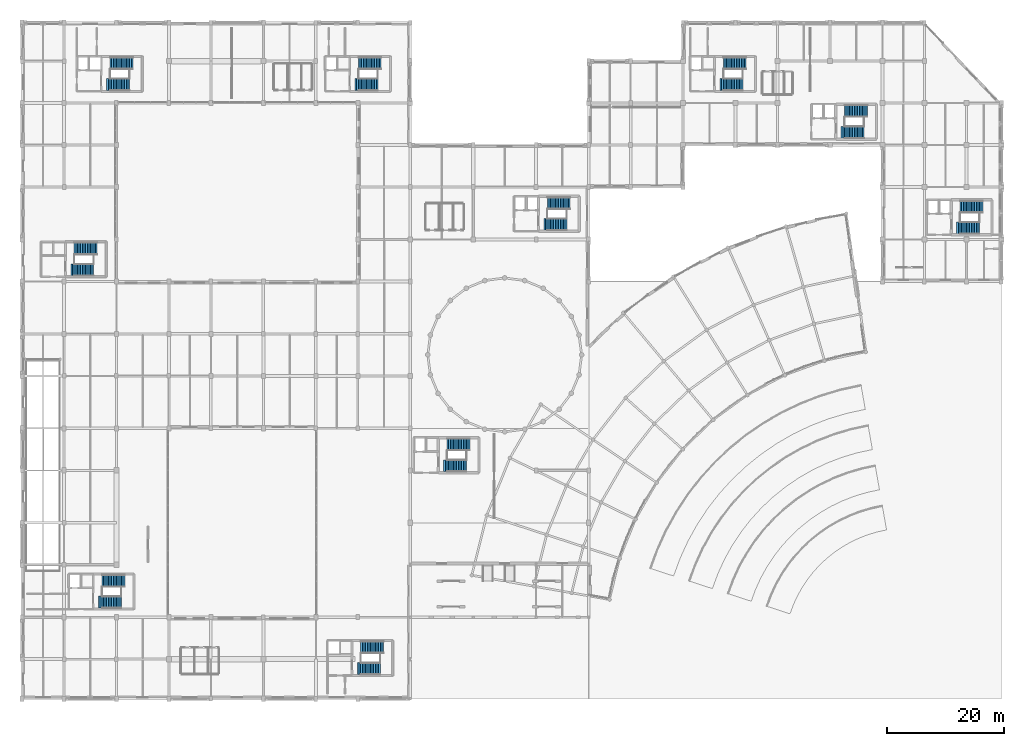
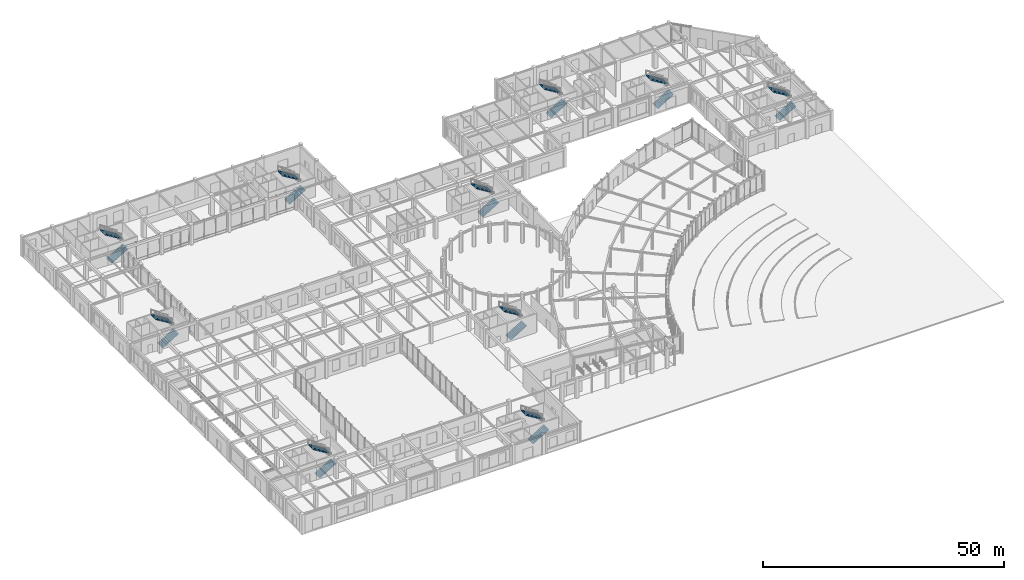
# One storey, part 56 of 64: 20 stair flights, 10 elements without a shape of their own.
"""IFC4 building model written with IfcOpenShell, lengths in metres."""

import ifcopenshell
import ifcopenshell.guid

model = None  # the IFC model being written
_history = None  # IfcOwnerHistory: only IFC2X3 demands one
_inside = {}  # id of a spatial element -> (the spatial element, [elements in it])
_under = {}  # id of a project, library or spatial element -> (it, [spatial elements below it])
_declared = {}  # id of a project -> (the project, [libraries it declares])
_typed = {}  # id of a type object -> (the type object, [elements of that type])
_made_of = {}  # id of a material, layer set ... -> (it, [elements and type objects made of it])


def new_model(schema):
    """Start an empty IFC model of exactly this schema.

    Asked for "IFC4X3", IfcOpenShell would pick the latest addendum, in which some entities
    have other attributes; the version numbers below select the first issue.
    IFC2X3 requires an IfcOwnerHistory on every rooted entity: one is made here for all.
    """
    global model, _history
    if schema == "IFC4X3":
        model = ifcopenshell.file(schema_version=(4, 3, 0, 0))
    else:
        model = ifcopenshell.file(schema=schema)
    _inside.clear()
    _under.clear()
    _declared.clear()
    _typed.clear()
    _made_of.clear()
    _history = None
    if model.schema == "IFC2X3":
        org = make("IfcOrganization", Name="unknown")
        user = make(
            "IfcPersonAndOrganization",
            ThePerson=make("IfcPerson", FamilyName="unknown"),
            TheOrganization=org,
        )
        app = make(
            "IfcApplication",
            ApplicationDeveloper=org,
            Version="unknown",
            ApplicationFullName="unknown",
            ApplicationIdentifier="unknown",
        )
        _history = make(
            "IfcOwnerHistory",
            OwningUser=user,
            OwningApplication=app,
            ChangeAction="ADDED",
            CreationDate=0,
        )
    return model


def make(cls, **values):
    """One entity of the class cls with the attributes given. An attribute that is None is left unset."""
    return model.create_entity(
        cls, **{name: value for name, value in values.items() if value is not None}
    )


def rooted(cls, **values):
    """An entity with a GlobalId (a new one), such as an element, a storey or a relation."""
    return make(cls, GlobalId=ifcopenshell.guid.new(), OwnerHistory=_history, **values)


def si_unit(unit_type, name, prefix=None):
    """IfcSIUnit, for example si_unit("LENGTHUNIT", "METRE", prefix="MILLI")."""
    return make("IfcSIUnit", UnitType=unit_type, Prefix=prefix, Name=name)


def assignment(units):
    """IfcUnitAssignment: the units of a project."""
    return None if units is None else make("IfcUnitAssignment", Units=units)


def point(xyz):
    """IfcCartesianPoint."""
    return None if xyz is None else make("IfcCartesianPoint", Coordinates=xyz)


def direction(xyz):
    """IfcDirection."""
    return None if xyz is None else make("IfcDirection", DirectionRatios=xyz)


def frame(location, z_axis=None, x_axis=None):
    """IfcAxis2Placement3D, a coordinate frame: its origin and axes. An axis left out is left unset."""
    return make(
        "IfcAxis2Placement3D",
        Location=point(location),
        Axis=direction(z_axis),
        RefDirection=direction(x_axis),
    )


def origin():
    """The frame at (0, 0, 0) with its axes left unset."""
    return frame((0.0, 0.0, 0.0))


def place(relative_to, where):
    """IfcLocalPlacement: puts the frame where relative to a parent placement (None: the world)."""
    return make(
        "IfcLocalPlacement", PlacementRelTo=relative_to, RelativePlacement=where
    )


def context(
    kind, dimensions, precision=None, world=None, true_north=None, identifier=None
):
    """IfcGeometricRepresentationContext, for example the 3D "Model" context."""
    return make(
        "IfcGeometricRepresentationContext",
        ContextIdentifier=identifier,
        ContextType=kind,
        CoordinateSpaceDimension=dimensions,
        Precision=precision,
        WorldCoordinateSystem=world,
        TrueNorth=true_north,
    )


def subcontext(parent, identifier, kind, view, scale=None):
    """IfcGeometricRepresentationSubContext, for example "Body" below "Model"."""
    return make(
        "IfcGeometricRepresentationSubContext",
        ContextIdentifier=identifier,
        ContextType=kind,
        ParentContext=parent,
        TargetScale=scale,
        TargetView=view,
    )


def project(units=None, contexts=None):
    """IfcProject with its units and contexts."""
    return rooted(
        "IfcProject",
        Name="project",
        RepresentationContexts=contexts,
        UnitsInContext=assignment(units),
    )


def spatial(cls, under=None, at=None, **own):
    """A site, building, storey or space (cls), placed at a placement, below another one or the project."""
    s = rooted(cls, ObjectPlacement=at, **own)
    if under is not None:
        _under.setdefault(under.id(), (under, []))[1].append(s)
    return s


def polyline(points):
    """IfcPolyline through the points."""
    return make("IfcPolyline", Points=[point(p) for p in points])


def outline(outer, holes=None, kind="AREA"):
    """IfcArbitraryClosedProfileDef: a profile drawn as a closed curve; with holes, ...WithVoids."""
    if holes is None:
        return make("IfcArbitraryClosedProfileDef", ProfileType=kind, OuterCurve=outer)
    return make(
        "IfcArbitraryProfileDefWithVoids",
        ProfileType=kind,
        OuterCurve=outer,
        InnerCurves=holes,
    )


def extrude(swept, where, along, depth):
    """IfcExtrudedAreaSolid: the profile swept, set in the frame where, extruded along a direction by depth."""
    return make(
        "IfcExtrudedAreaSolid",
        SweptArea=swept,
        Position=where,
        ExtrudedDirection=direction(along),
        Depth=depth,
    )


def shape(context_of_items, identifier, shape_type, items):
    """IfcShapeRepresentation: the items that make up one representation, for example the "Body"."""
    return make(
        "IfcShapeRepresentation",
        ContextOfItems=context_of_items,
        RepresentationIdentifier=identifier,
        RepresentationType=shape_type,
        Items=items,
    )


def material(Name=None, Category=None):
    """IfcMaterial."""
    return make("IfcMaterial", Name=Name, Category=Category)


def made_of(thing, what):
    """Note that an element or type object is made of a material, layer set ...; save() writes the relation."""
    if what is not None:
        _made_of.setdefault(what.id(), (what, []))[1].append(thing)
    return thing


def type_object(cls, material=None, **own):
    """A type object (cls), such as IfcWallType, which elements share."""
    return made_of(rooted(cls, **own), material)


def element(
    cls,
    number,
    at=None,
    inside=None,
    cuts=None,
    type_object=None,
    material=None,
    context=None,
    identifier="Body",
    shape_type=None,
    held_by="IfcProductDefinitionShape",
    body=None,
    shapes=None,
    **own,
):
    """One element of the class cls, such as IfcWall. Its Tag is "e" and its number.

    at: its placement. inside: the storey or other place that contains it. cuts: it is an
    opening in that element (IfcRelVoidsElement). A single representation is given by context,
    identifier, shape_type and body (its items); several are given by shapes. held_by: the class
    of the entity that holds the representations. save() writes the other relations.
    """
    e = rooted(cls, Tag="e%d" % number, ObjectPlacement=at, **own)
    if body is not None:
        shapes = [shape(context, identifier, shape_type, body)]
    if shapes is not None:
        e.Representation = make(held_by, Representations=shapes)
    if inside is not None:
        _inside.setdefault(inside.id(), (inside, []))[1].append(e)
    if cuts is not None:
        rooted(
            "IfcRelVoidsElement", RelatingBuildingElement=cuts, RelatedOpeningElement=e
        )
    if type_object is not None:
        _typed.setdefault(type_object.id(), (type_object, []))[1].append(e)
    return made_of(e, material)


def aggregate(whole, parts):
    """IfcRelAggregates: a whole, such as a stair, and the parts it consists of."""
    return rooted("IfcRelAggregates", RelatingObject=whole, RelatedObjects=parts)


def save(model, path):
    """Write the relations noted so far, then the file.

    IfcRelAggregates (storeys below a building ...), IfcRelContainedInSpatialStructure (elements
    in a storey), IfcRelDefinesByType, IfcRelAssociatesMaterial and IfcRelDeclares: one each for
    every whole, place, type object, material and project.
    """
    for whole, parts in _under.values():
        aggregate(whole, parts)
    for where, things in _inside.values():
        rooted(
            "IfcRelContainedInSpatialStructure",
            RelatedElements=things,
            RelatingStructure=where,
        )
    for kind, things in _typed.values():
        rooted("IfcRelDefinesByType", RelatedObjects=things, RelatingType=kind)
    for what, things in _made_of.values():
        rooted("IfcRelAssociatesMaterial", RelatedObjects=things, RelatingMaterial=what)
    for by, libraries in _declared.values():
        rooted("IfcRelDeclares", RelatingContext=by, RelatedDefinitions=libraries)
    model.write(path)


model = new_model("IFC4")

# Units and contexts
model_context = context("Model", 3, precision=1e-05, world=origin(), true_north=direction((0.0, 1.0)))
body_context = subcontext(model_context, "Body", "Model", "MODEL_VIEW")
ifc_project = project(units=[si_unit("LENGTHUNIT", "METRE"), si_unit("AREAUNIT", "SQUARE_METRE"), si_unit("VOLUMEUNIT", "CUBIC_METRE"), si_unit("PLANEANGLEUNIT", "RADIAN"), si_unit("MASSUNIT", "GRAM", prefix="KILO")], contexts=[model_context])

# Site, building, storey
site_placement = place(None, origin())
site = spatial("IfcSite", under=ifc_project, at=site_placement, CompositionType="ELEMENT")
building_placement = place(site_placement, origin())
building = spatial("IfcBuilding", under=site, at=building_placement, Name="Clarverna Civic Hall", CompositionType="ELEMENT")
storey_placement = place(building_placement, origin())
storey = spatial("IfcBuildingStorey", under=building, at=storey_placement, Name="L00", CompositionType="ELEMENT", Elevation=0.0)

# Stair, stair flights
ifc_material = material(Name="Concrete C30/37", Category="concrete")
stair_type_1 = type_object("IfcStairType", Name="ST-U1", PredefinedType="HALF_TURN_STAIR", material=ifc_material)
stair_1_placement = place(storey_placement, origin())
stair_1 = element("IfcStair", 1, at=stair_1_placement, inside=storey, type_object=stair_type_1, Name="ST-U1:L00:0001", PredefinedType="HALF_TURN_STAIR")
stair_flight_type = type_object("IfcStairFlightType", Name="SF-01", PredefinedType="STRAIGHT", material=ifc_material)
stair_flight_1_placement = place(storey_placement, frame((140.530029296875, 97.179931640625, 0.0), z_axis=(0.0, 0.0, 1.0), x_axis=(1.0, 0.0, 0.0)))
stair_flight_1 = element("IfcStairFlight", 2, at=stair_flight_1_placement, type_object=stair_flight_type, Name="SF-01:L00:0001", NumberOfRisers=15, NumberOfTreads=14, PredefinedType="STRAIGHT", RiserHeight=0.17, TreadLength=0.28, context=body_context, shape_type="SweptSolid", body=[
    extrude(outline(polyline([(0.0, 0.0), (0.0, 0.169921875), (0.280029296875, 0.169921875), (0.280029296875, 0.340087890625), (0.56005859375, 0.340087890625), (0.56005859375, 0.510009765625), (0.840087890625, 0.510009765625), (0.840087890625, 0.679931640625), (1.1201171875, 0.679931640625), (1.1201171875, 0.85009765625), (1.39990234375, 0.85009765625), (1.39990234375, 1.02001953125), (1.679931640625, 1.02001953125), (1.679931640625, 1.18994140625), (1.9599609375, 1.18994140625), (1.9599609375, 1.360107421875), (2.239990234375, 1.360107421875), (2.239990234375, 1.530029296875), (2.52001953125, 1.530029296875), (2.52001953125, 1.699951171875), (2.800048828125, 1.699951171875), (2.800048828125, 1.8701171875), (3.080078125, 1.8701171875), (3.080078125, 2.0400390625), (3.360107421875, 2.0400390625), (3.360107421875, 2.2099609375), (3.639892578125, 2.2099609375), (3.639892578125, 2.3798828125), (3.919921875, 2.3798828125), (3.919921875, 2.550048828125), (3.919921875, 2.16943359375), (0.3466796875, 0.0), (0.0, 0.0)])), frame((0.0, 1.02001953125, 0.0), z_axis=(0.0, -1.0, 0.0), x_axis=(1.0, 0.0, 0.0)), (0.0, 0.0, 1.0), 2.0400390625),
])
stair_flight_2_placement = place(storey_placement, frame((145.02001953125, 100.820068359375, 2.550048828125), z_axis=(0.0, 0.0, 1.0), x_axis=(-1.0, 0.0, 0.0)))
stair_flight_2 = element("IfcStairFlight", 3, at=stair_flight_2_placement, type_object=stair_flight_type, Name="SF-01:L00:0002", NumberOfRisers=15, NumberOfTreads=14, PredefinedType="STRAIGHT", RiserHeight=0.17, TreadLength=0.28, context=body_context, shape_type="SweptSolid", body=[
    extrude(outline(polyline([(0.0, 0.0), (0.0, 0.169921875), (0.280029296875, 0.169921875), (0.280029296875, 0.340087890625), (0.56005859375, 0.340087890625), (0.56005859375, 0.510009765625), (0.840087890625, 0.510009765625), (0.840087890625, 0.679931640625), (1.1201171875, 0.679931640625), (1.1201171875, 0.85009765625), (1.39990234375, 0.85009765625), (1.39990234375, 1.02001953125), (1.679931640625, 1.02001953125), (1.679931640625, 1.18994140625), (1.9599609375, 1.18994140625), (1.9599609375, 1.360107421875), (2.239990234375, 1.360107421875), (2.239990234375, 1.530029296875), (2.52001953125, 1.530029296875), (2.52001953125, 1.699951171875), (2.800048828125, 1.699951171875), (2.800048828125, 1.8701171875), (3.080078125, 1.8701171875), (3.080078125, 2.0400390625), (3.360107421875, 2.0400390625), (3.360107421875, 2.2099609375), (3.639892578125, 2.2099609375), (3.639892578125, 2.3798828125), (3.919921875, 2.3798828125), (3.919921875, 2.550048828125), (3.919921875, 2.16943359375), (0.3466796875, 0.0), (0.0, 0.0)])), frame((0.0, 1.02001953125, 0.0), z_axis=(0.0, -1.0, 0.0), x_axis=(1.0, 0.0, 0.0)), (0.0, 0.0, 1.0), 2.0400390625),
])
aggregate(stair_1, [stair_flight_1, stair_flight_2])

stair_2_placement = place(storey_placement, origin())
stair_2 = element("IfcStair", 4, at=stair_2_placement, inside=storey, type_object=stair_type_1, Name="ST-U1:L00:0003", PredefinedType="HALF_TURN_STAIR")
stair_flight_3_placement = place(storey_placement, frame((160.330078125, 80.780029296875, 0.0), z_axis=(0.0, 0.0, 1.0), x_axis=(1.0, 0.0, 0.0)))
stair_flight_3 = element("IfcStairFlight", 5, at=stair_flight_3_placement, type_object=stair_flight_type, Name="SF-01:L00:0005", NumberOfRisers=15, NumberOfTreads=14, PredefinedType="STRAIGHT", RiserHeight=0.17, TreadLength=0.28, context=body_context, shape_type="SweptSolid", body=[
    extrude(outline(polyline([(0.0, 0.0), (0.0, 0.169921875), (0.280029296875, 0.169921875), (0.280029296875, 0.340087890625), (0.56005859375, 0.340087890625), (0.56005859375, 0.510009765625), (0.840087890625, 0.510009765625), (0.840087890625, 0.679931640625), (1.1201171875, 0.679931640625), (1.1201171875, 0.85009765625), (1.39990234375, 0.85009765625), (1.39990234375, 1.02001953125), (1.679931640625, 1.02001953125), (1.679931640625, 1.18994140625), (1.9599609375, 1.18994140625), (1.9599609375, 1.360107421875), (2.239990234375, 1.360107421875), (2.239990234375, 1.530029296875), (2.52001953125, 1.530029296875), (2.52001953125, 1.699951171875), (2.800048828125, 1.699951171875), (2.800048828125, 1.8701171875), (3.080078125, 1.8701171875), (3.080078125, 2.0400390625), (3.360107421875, 2.0400390625), (3.360107421875, 2.2099609375), (3.639892578125, 2.2099609375), (3.639892578125, 2.3798828125), (3.919921875, 2.3798828125), (3.919921875, 2.550048828125), (3.919921875, 2.16943359375), (0.3466796875, 0.0), (0.0, 0.0)])), frame((0.0, 1.02001953125, 0.0), z_axis=(0.0, -1.0, 0.0), x_axis=(1.0, 0.0, 0.0)), (0.0, 0.0, 1.0), 2.0400390625),
])
stair_flight_4_placement = place(storey_placement, frame((164.820068359375, 84.419921875, 2.550048828125), z_axis=(0.0, 0.0, 1.0), x_axis=(-1.0, 0.0, 0.0)))
stair_flight_4 = element("IfcStairFlight", 6, at=stair_flight_4_placement, type_object=stair_flight_type, Name="SF-01:L00:0006", NumberOfRisers=15, NumberOfTreads=14, PredefinedType="STRAIGHT", RiserHeight=0.17, TreadLength=0.28, context=body_context, shape_type="SweptSolid", body=[
    extrude(outline(polyline([(0.0, 0.0), (0.0, 0.169921875), (0.280029296875, 0.169921875), (0.280029296875, 0.340087890625), (0.56005859375, 0.340087890625), (0.56005859375, 0.510009765625), (0.840087890625, 0.510009765625), (0.840087890625, 0.679931640625), (1.1201171875, 0.679931640625), (1.1201171875, 0.85009765625), (1.39990234375, 0.85009765625), (1.39990234375, 1.02001953125), (1.679931640625, 1.02001953125), (1.679931640625, 1.18994140625), (1.9599609375, 1.18994140625), (1.9599609375, 1.360107421875), (2.239990234375, 1.360107421875), (2.239990234375, 1.530029296875), (2.52001953125, 1.530029296875), (2.52001953125, 1.699951171875), (2.800048828125, 1.699951171875), (2.800048828125, 1.8701171875), (3.080078125, 1.8701171875), (3.080078125, 2.0400390625), (3.360107421875, 2.0400390625), (3.360107421875, 2.2099609375), (3.639892578125, 2.2099609375), (3.639892578125, 2.3798828125), (3.919921875, 2.3798828125), (3.919921875, 2.550048828125), (3.919921875, 2.16943359375), (0.3466796875, 0.0), (0.0, 0.0)])), frame((0.0, 1.02001953125, 0.0), z_axis=(0.0, -1.0, 0.0), x_axis=(1.0, 0.0, 0.0)), (0.0, 0.0, 1.0), 2.0400390625),
])
aggregate(stair_2, [stair_flight_3, stair_flight_4])

stair_type_2 = type_object("IfcStairType", Name="ST-U2", PredefinedType="HALF_TURN_STAIR", material=ifc_material)
stair_3_placement = place(storey_placement, origin())
stair_3 = element("IfcStair", 7, at=stair_3_placement, inside=storey, type_object=stair_type_2, Name="ST-U2:L00:0001", PredefinedType="HALF_TURN_STAIR")
stair_flight_5_placement = place(storey_placement, frame((89.530029296875, 81.3798828125, 0.0), z_axis=(0.0, 0.0, 1.0), x_axis=(1.0, 0.0, 0.0)))
stair_flight_5 = element("IfcStairFlight", 8, at=stair_flight_5_placement, type_object=stair_flight_type, Name="SF-01:L00:0009", NumberOfRisers=15, NumberOfTreads=14, PredefinedType="STRAIGHT", RiserHeight=0.17, TreadLength=0.28, context=body_context, shape_type="SweptSolid", body=[
    extrude(outline(polyline([(0.0, 0.0), (0.0, 0.169921875), (0.280029296875, 0.169921875), (0.280029296875, 0.340087890625), (0.56005859375, 0.340087890625), (0.56005859375, 0.510009765625), (0.840087890625, 0.510009765625), (0.840087890625, 0.679931640625), (1.1201171875, 0.679931640625), (1.1201171875, 0.85009765625), (1.39990234375, 0.85009765625), (1.39990234375, 1.02001953125), (1.679931640625, 1.02001953125), (1.679931640625, 1.18994140625), (1.9599609375, 1.18994140625), (1.9599609375, 1.360107421875), (2.239990234375, 1.360107421875), (2.239990234375, 1.530029296875), (2.52001953125, 1.530029296875), (2.52001953125, 1.699951171875), (2.800048828125, 1.699951171875), (2.800048828125, 1.8701171875), (3.080078125, 1.8701171875), (3.080078125, 2.0400390625), (3.360107421875, 2.0400390625), (3.360107421875, 2.2099609375), (3.639892578125, 2.2099609375), (3.639892578125, 2.3798828125), (3.919921875, 2.3798828125), (3.919921875, 2.550048828125), (3.919921875, 2.16943359375), (0.3466796875, 0.0), (0.0, 0.0)])), frame((0.0, 1.02001953125, 0.0), z_axis=(0.0, -1.0, 0.0), x_axis=(1.0, 0.0, 0.0)), (0.0, 0.0, 1.0), 2.0400390625),
])
stair_flight_6_placement = place(storey_placement, frame((94.02001953125, 85.02001953125, 2.550048828125), z_axis=(0.0, 0.0, 1.0), x_axis=(-1.0, 0.0, 0.0)))
stair_flight_6 = element("IfcStairFlight", 9, at=stair_flight_6_placement, type_object=stair_flight_type, Name="SF-01:L00:0010", NumberOfRisers=15, NumberOfTreads=14, PredefinedType="STRAIGHT", RiserHeight=0.17, TreadLength=0.28, context=body_context, shape_type="SweptSolid", body=[
    extrude(outline(polyline([(0.0, 0.0), (0.0, 0.169921875), (0.280029296875, 0.169921875), (0.280029296875, 0.340087890625), (0.56005859375, 0.340087890625), (0.56005859375, 0.510009765625), (0.840087890625, 0.510009765625), (0.840087890625, 0.679931640625), (1.1201171875, 0.679931640625), (1.1201171875, 0.85009765625), (1.39990234375, 0.85009765625), (1.39990234375, 1.02001953125), (1.679931640625, 1.02001953125), (1.679931640625, 1.18994140625), (1.9599609375, 1.18994140625), (1.9599609375, 1.360107421875), (2.239990234375, 1.360107421875), (2.239990234375, 1.530029296875), (2.52001953125, 1.530029296875), (2.52001953125, 1.699951171875), (2.800048828125, 1.699951171875), (2.800048828125, 1.8701171875), (3.080078125, 1.8701171875), (3.080078125, 2.0400390625), (3.360107421875, 2.0400390625), (3.360107421875, 2.2099609375), (3.639892578125, 2.2099609375), (3.639892578125, 2.3798828125), (3.919921875, 2.3798828125), (3.919921875, 2.550048828125), (3.919921875, 2.16943359375), (0.3466796875, 0.0), (0.0, 0.0)])), frame((0.0, 1.02001953125, 0.0), z_axis=(0.0, -1.0, 0.0), x_axis=(1.0, 0.0, 0.0)), (0.0, 0.0, 1.0), 2.0400390625),
])
aggregate(stair_3, [stair_flight_5, stair_flight_6])

stair_4_placement = place(storey_placement, origin())
stair_4 = element("IfcStair", 10, at=stair_4_placement, inside=storey, type_object=stair_type_1, Name="ST-U1:L00:0005", PredefinedType="HALF_TURN_STAIR")
stair_flight_7_placement = place(storey_placement, frame((72.330078125, 39.97998046875, 0.0), z_axis=(0.0, 0.0, 1.0), x_axis=(1.0, 0.0, 0.0)))
stair_flight_7 = element("IfcStairFlight", 11, at=stair_flight_7_placement, type_object=stair_flight_type, Name="SF-01:L00:0013", NumberOfRisers=15, NumberOfTreads=14, PredefinedType="STRAIGHT", RiserHeight=0.17, TreadLength=0.28, context=body_context, shape_type="SweptSolid", body=[
    extrude(outline(polyline([(0.0, 0.0), (0.0, 0.169921875), (0.280029296875, 0.169921875), (0.280029296875, 0.340087890625), (0.56005859375, 0.340087890625), (0.56005859375, 0.510009765625), (0.840087890625, 0.510009765625), (0.840087890625, 0.679931640625), (1.1201171875, 0.679931640625), (1.1201171875, 0.85009765625), (1.39990234375, 0.85009765625), (1.39990234375, 1.02001953125), (1.679931640625, 1.02001953125), (1.679931640625, 1.18994140625), (1.9599609375, 1.18994140625), (1.9599609375, 1.360107421875), (2.239990234375, 1.360107421875), (2.239990234375, 1.530029296875), (2.52001953125, 1.530029296875), (2.52001953125, 1.699951171875), (2.800048828125, 1.699951171875), (2.800048828125, 1.8701171875), (3.080078125, 1.8701171875), (3.080078125, 2.0400390625), (3.360107421875, 2.0400390625), (3.360107421875, 2.2099609375), (3.639892578125, 2.2099609375), (3.639892578125, 2.3798828125), (3.919921875, 2.3798828125), (3.919921875, 2.550048828125), (3.919921875, 2.16943359375), (0.3466796875, 0.0), (0.0, 0.0)])), frame((0.0, 1.02001953125, 0.0), z_axis=(0.0, -1.0, 0.0), x_axis=(1.0, 0.0, 0.0)), (0.0, 0.0, 1.0), 2.0400390625),
])
stair_flight_8_placement = place(storey_placement, frame((76.820068359375, 43.6201171875, 2.550048828125), z_axis=(0.0, 0.0, 1.0), x_axis=(-1.0, 0.0, 0.0)))
stair_flight_8 = element("IfcStairFlight", 12, at=stair_flight_8_placement, type_object=stair_flight_type, Name="SF-01:L00:0014", NumberOfRisers=15, NumberOfTreads=14, PredefinedType="STRAIGHT", RiserHeight=0.17, TreadLength=0.28, context=body_context, shape_type="SweptSolid", body=[
    extrude(outline(polyline([(0.0, 0.0), (0.0, 0.169921875), (0.280029296875, 0.169921875), (0.280029296875, 0.340087890625), (0.56005859375, 0.340087890625), (0.56005859375, 0.510009765625), (0.840087890625, 0.510009765625), (0.840087890625, 0.679931640625), (1.1201171875, 0.679931640625), (1.1201171875, 0.85009765625), (1.39990234375, 0.85009765625), (1.39990234375, 1.02001953125), (1.679931640625, 1.02001953125), (1.679931640625, 1.18994140625), (1.9599609375, 1.18994140625), (1.9599609375, 1.360107421875), (2.239990234375, 1.360107421875), (2.239990234375, 1.530029296875), (2.52001953125, 1.530029296875), (2.52001953125, 1.699951171875), (2.800048828125, 1.699951171875), (2.800048828125, 1.8701171875), (3.080078125, 1.8701171875), (3.080078125, 2.0400390625), (3.360107421875, 2.0400390625), (3.360107421875, 2.2099609375), (3.639892578125, 2.2099609375), (3.639892578125, 2.3798828125), (3.919921875, 2.3798828125), (3.919921875, 2.550048828125), (3.919921875, 2.16943359375), (0.3466796875, 0.0), (0.0, 0.0)])), frame((0.0, 1.02001953125, 0.0), z_axis=(0.0, -1.0, 0.0), x_axis=(1.0, 0.0, 0.0)), (0.0, 0.0, 1.0), 2.0400390625),
])
aggregate(stair_4, [stair_flight_7, stair_flight_8])

stair_5_placement = place(storey_placement, origin())
stair_5 = element("IfcStair", 13, at=stair_5_placement, inside=storey, type_object=stair_type_1, Name="ST-U1:L00:0007", PredefinedType="HALF_TURN_STAIR")
stair_flight_9_placement = place(storey_placement, frame((14.530029296875, 105.3798828125, 0.0), z_axis=(0.0, 0.0, 1.0), x_axis=(1.0, 0.0, 0.0)))
stair_flight_9 = element("IfcStairFlight", 14, at=stair_flight_9_placement, type_object=stair_flight_type, Name="SF-01:L00:0017", NumberOfRisers=15, NumberOfTreads=14, PredefinedType="STRAIGHT", RiserHeight=0.17, TreadLength=0.28, context=body_context, shape_type="SweptSolid", body=[
    extrude(outline(polyline([(0.0, 0.0), (0.0, 0.169921875), (0.280029296875, 0.169921875), (0.280029296875, 0.340087890625), (0.56005859375, 0.340087890625), (0.56005859375, 0.510009765625), (0.840087890625, 0.510009765625), (0.840087890625, 0.679931640625), (1.1201171875, 0.679931640625), (1.1201171875, 0.85009765625), (1.39990234375, 0.85009765625), (1.39990234375, 1.02001953125), (1.679931640625, 1.02001953125), (1.679931640625, 1.18994140625), (1.9599609375, 1.18994140625), (1.9599609375, 1.360107421875), (2.239990234375, 1.360107421875), (2.239990234375, 1.530029296875), (2.52001953125, 1.530029296875), (2.52001953125, 1.699951171875), (2.800048828125, 1.699951171875), (2.800048828125, 1.8701171875), (3.080078125, 1.8701171875), (3.080078125, 2.0400390625), (3.360107421875, 2.0400390625), (3.360107421875, 2.2099609375), (3.639892578125, 2.2099609375), (3.639892578125, 2.3798828125), (3.919921875, 2.3798828125), (3.919921875, 2.550048828125), (3.919921875, 2.16943359375), (0.3466796875, 0.0), (0.0, 0.0)])), frame((0.0, 1.02001953125, 0.0), z_axis=(0.0, -1.0, 0.0), x_axis=(1.0, 0.0, 0.0)), (0.0, 0.0, 1.0), 2.0400390625),
])
stair_flight_10_placement = place(storey_placement, frame((19.02001953125, 109.02001953125, 2.550048828125), z_axis=(0.0, 0.0, 1.0), x_axis=(-1.0, 0.0, 0.0)))
stair_flight_10 = element("IfcStairFlight", 15, at=stair_flight_10_placement, type_object=stair_flight_type, Name="SF-01:L00:0018", NumberOfRisers=15, NumberOfTreads=14, PredefinedType="STRAIGHT", RiserHeight=0.17, TreadLength=0.28, context=body_context, shape_type="SweptSolid", body=[
    extrude(outline(polyline([(0.0, 0.0), (0.0, 0.169921875), (0.280029296875, 0.169921875), (0.280029296875, 0.340087890625), (0.56005859375, 0.340087890625), (0.56005859375, 0.510009765625), (0.840087890625, 0.510009765625), (0.840087890625, 0.679931640625), (1.1201171875, 0.679931640625), (1.1201171875, 0.85009765625), (1.39990234375, 0.85009765625), (1.39990234375, 1.02001953125), (1.679931640625, 1.02001953125), (1.679931640625, 1.18994140625), (1.9599609375, 1.18994140625), (1.9599609375, 1.360107421875), (2.239990234375, 1.360107421875), (2.239990234375, 1.530029296875), (2.52001953125, 1.530029296875), (2.52001953125, 1.699951171875), (2.800048828125, 1.699951171875), (2.800048828125, 1.8701171875), (3.080078125, 1.8701171875), (3.080078125, 2.0400390625), (3.360107421875, 2.0400390625), (3.360107421875, 2.2099609375), (3.639892578125, 2.2099609375), (3.639892578125, 2.3798828125), (3.919921875, 2.3798828125), (3.919921875, 2.550048828125), (3.919921875, 2.16943359375), (0.3466796875, 0.0), (0.0, 0.0)])), frame((0.0, 1.02001953125, 0.0), z_axis=(0.0, -1.0, 0.0), x_axis=(1.0, 0.0, 0.0)), (0.0, 0.0, 1.0), 2.0400390625),
])
aggregate(stair_5, [stair_flight_9, stair_flight_10])

stair_6_placement = place(storey_placement, origin())
stair_6 = element("IfcStair", 16, at=stair_6_placement, inside=storey, type_object=stair_type_1, Name="ST-U1:L00:0009", PredefinedType="HALF_TURN_STAIR")
stair_flight_11_placement = place(storey_placement, frame((57.530029296875, 5.179931640625, 0.0), z_axis=(0.0, 0.0, 1.0), x_axis=(1.0, 0.0, 0.0)))
stair_flight_11 = element("IfcStairFlight", 17, at=stair_flight_11_placement, type_object=stair_flight_type, Name="SF-01:L00:0021", NumberOfRisers=15, NumberOfTreads=14, PredefinedType="STRAIGHT", RiserHeight=0.17, TreadLength=0.28, context=body_context, shape_type="SweptSolid", body=[
    extrude(outline(polyline([(0.0, 0.0), (0.0, 0.169921875), (0.280029296875, 0.169921875), (0.280029296875, 0.340087890625), (0.56005859375, 0.340087890625), (0.56005859375, 0.510009765625), (0.840087890625, 0.510009765625), (0.840087890625, 0.679931640625), (1.1201171875, 0.679931640625), (1.1201171875, 0.85009765625), (1.39990234375, 0.85009765625), (1.39990234375, 1.02001953125), (1.679931640625, 1.02001953125), (1.679931640625, 1.18994140625), (1.9599609375, 1.18994140625), (1.9599609375, 1.360107421875), (2.239990234375, 1.360107421875), (2.239990234375, 1.530029296875), (2.52001953125, 1.530029296875), (2.52001953125, 1.699951171875), (2.800048828125, 1.699951171875), (2.800048828125, 1.8701171875), (3.080078125, 1.8701171875), (3.080078125, 2.0400390625), (3.360107421875, 2.0400390625), (3.360107421875, 2.2099609375), (3.639892578125, 2.2099609375), (3.639892578125, 2.3798828125), (3.919921875, 2.3798828125), (3.919921875, 2.550048828125), (3.919921875, 2.16943359375), (0.3466796875, 0.0), (0.0, 0.0)])), frame((0.0, 1.02001953125, 0.0), z_axis=(0.0, -1.0, 0.0), x_axis=(1.0, 0.0, 0.0)), (0.0, 0.0, 1.0), 2.0400390625),
])
stair_flight_12_placement = place(storey_placement, frame((62.02001953125, 8.820068359375, 2.550048828125), z_axis=(0.0, 0.0, 1.0), x_axis=(-1.0, 0.0, 0.0)))
stair_flight_12 = element("IfcStairFlight", 18, at=stair_flight_12_placement, type_object=stair_flight_type, Name="SF-01:L00:0022", NumberOfRisers=15, NumberOfTreads=14, PredefinedType="STRAIGHT", RiserHeight=0.17, TreadLength=0.28, context=body_context, shape_type="SweptSolid", body=[
    extrude(outline(polyline([(0.0, 0.0), (0.0, 0.169921875), (0.280029296875, 0.169921875), (0.280029296875, 0.340087890625), (0.56005859375, 0.340087890625), (0.56005859375, 0.510009765625), (0.840087890625, 0.510009765625), (0.840087890625, 0.679931640625), (1.1201171875, 0.679931640625), (1.1201171875, 0.85009765625), (1.39990234375, 0.85009765625), (1.39990234375, 1.02001953125), (1.679931640625, 1.02001953125), (1.679931640625, 1.18994140625), (1.9599609375, 1.18994140625), (1.9599609375, 1.360107421875), (2.239990234375, 1.360107421875), (2.239990234375, 1.530029296875), (2.52001953125, 1.530029296875), (2.52001953125, 1.699951171875), (2.800048828125, 1.699951171875), (2.800048828125, 1.8701171875), (3.080078125, 1.8701171875), (3.080078125, 2.0400390625), (3.360107421875, 2.0400390625), (3.360107421875, 2.2099609375), (3.639892578125, 2.2099609375), (3.639892578125, 2.3798828125), (3.919921875, 2.3798828125), (3.919921875, 2.550048828125), (3.919921875, 2.16943359375), (0.3466796875, 0.0), (0.0, 0.0)])), frame((0.0, 1.02001953125, 0.0), z_axis=(0.0, -1.0, 0.0), x_axis=(1.0, 0.0, 0.0)), (0.0, 0.0, 1.0), 2.0400390625),
])
aggregate(stair_6, [stair_flight_11, stair_flight_12])

stair_7_placement = place(storey_placement, origin())
stair_7 = element("IfcStair", 19, at=stair_7_placement, inside=storey, type_object=stair_type_1, Name="ST-U1:L00:0011", PredefinedType="HALF_TURN_STAIR")
stair_flight_13_placement = place(storey_placement, frame((13.1298828125, 16.580078125, 0.0), z_axis=(0.0, 0.0, 1.0), x_axis=(1.0, 0.0, 0.0)))
stair_flight_13 = element("IfcStairFlight", 20, at=stair_flight_13_placement, type_object=stair_flight_type, Name="SF-01:L00:0025", NumberOfRisers=15, NumberOfTreads=14, PredefinedType="STRAIGHT", RiserHeight=0.17, TreadLength=0.28, context=body_context, shape_type="SweptSolid", body=[
    extrude(outline(polyline([(0.0, 0.0), (0.0, 0.169921875), (0.280029296875, 0.169921875), (0.280029296875, 0.340087890625), (0.56005859375, 0.340087890625), (0.56005859375, 0.510009765625), (0.840087890625, 0.510009765625), (0.840087890625, 0.679931640625), (1.1201171875, 0.679931640625), (1.1201171875, 0.85009765625), (1.39990234375, 0.85009765625), (1.39990234375, 1.02001953125), (1.679931640625, 1.02001953125), (1.679931640625, 1.18994140625), (1.9599609375, 1.18994140625), (1.9599609375, 1.360107421875), (2.239990234375, 1.360107421875), (2.239990234375, 1.530029296875), (2.52001953125, 1.530029296875), (2.52001953125, 1.699951171875), (2.800048828125, 1.699951171875), (2.800048828125, 1.8701171875), (3.080078125, 1.8701171875), (3.080078125, 2.0400390625), (3.360107421875, 2.0400390625), (3.360107421875, 2.2099609375), (3.639892578125, 2.2099609375), (3.639892578125, 2.3798828125), (3.919921875, 2.3798828125), (3.919921875, 2.550048828125), (3.919921875, 2.16943359375), (0.3466796875, 0.0), (0.0, 0.0)])), frame((0.0, 1.02001953125, 0.0), z_axis=(0.0, -1.0, 0.0), x_axis=(1.0, 0.0, 0.0)), (0.0, 0.0, 1.0), 2.0400390625),
])
stair_flight_14_placement = place(storey_placement, frame((17.6201171875, 20.219970703125, 2.550048828125), z_axis=(0.0, 0.0, 1.0), x_axis=(-1.0, 0.0, 0.0)))
stair_flight_14 = element("IfcStairFlight", 21, at=stair_flight_14_placement, type_object=stair_flight_type, Name="SF-01:L00:0026", NumberOfRisers=15, NumberOfTreads=14, PredefinedType="STRAIGHT", RiserHeight=0.17, TreadLength=0.28, context=body_context, shape_type="SweptSolid", body=[
    extrude(outline(polyline([(0.0, 0.0), (0.0, 0.169921875), (0.280029296875, 0.169921875), (0.280029296875, 0.340087890625), (0.56005859375, 0.340087890625), (0.56005859375, 0.510009765625), (0.840087890625, 0.510009765625), (0.840087890625, 0.679931640625), (1.1201171875, 0.679931640625), (1.1201171875, 0.85009765625), (1.39990234375, 0.85009765625), (1.39990234375, 1.02001953125), (1.679931640625, 1.02001953125), (1.679931640625, 1.18994140625), (1.9599609375, 1.18994140625), (1.9599609375, 1.360107421875), (2.239990234375, 1.360107421875), (2.239990234375, 1.530029296875), (2.52001953125, 1.530029296875), (2.52001953125, 1.699951171875), (2.800048828125, 1.699951171875), (2.800048828125, 1.8701171875), (3.080078125, 1.8701171875), (3.080078125, 2.0400390625), (3.360107421875, 2.0400390625), (3.360107421875, 2.2099609375), (3.639892578125, 2.2099609375), (3.639892578125, 2.3798828125), (3.919921875, 2.3798828125), (3.919921875, 2.550048828125), (3.919921875, 2.16943359375), (0.3466796875, 0.0), (0.0, 0.0)])), frame((0.0, 1.02001953125, 0.0), z_axis=(0.0, -1.0, 0.0), x_axis=(1.0, 0.0, 0.0)), (0.0, 0.0, 1.0), 2.0400390625),
])
aggregate(stair_7, [stair_flight_13, stair_flight_14])

stair_8_placement = place(storey_placement, origin())
stair_8 = element("IfcStair", 22, at=stair_8_placement, inside=storey, type_object=stair_type_1, Name="ST-U1:L00:0013", PredefinedType="HALF_TURN_STAIR")
stair_flight_15_placement = place(storey_placement, frame((119.72998046875, 105.3798828125, 0.0), z_axis=(0.0, 0.0, 1.0), x_axis=(1.0, 0.0, 0.0)))
stair_flight_15 = element("IfcStairFlight", 23, at=stair_flight_15_placement, type_object=stair_flight_type, Name="SF-01:L00:0029", NumberOfRisers=15, NumberOfTreads=14, PredefinedType="STRAIGHT", RiserHeight=0.17, TreadLength=0.28, context=body_context, shape_type="SweptSolid", body=[
    extrude(outline(polyline([(0.0, 0.0), (0.0, 0.169921875), (0.280029296875, 0.169921875), (0.280029296875, 0.340087890625), (0.56005859375, 0.340087890625), (0.56005859375, 0.510009765625), (0.840087890625, 0.510009765625), (0.840087890625, 0.679931640625), (1.1201171875, 0.679931640625), (1.1201171875, 0.85009765625), (1.39990234375, 0.85009765625), (1.39990234375, 1.02001953125), (1.679931640625, 1.02001953125), (1.679931640625, 1.18994140625), (1.9599609375, 1.18994140625), (1.9599609375, 1.360107421875), (2.239990234375, 1.360107421875), (2.239990234375, 1.530029296875), (2.52001953125, 1.530029296875), (2.52001953125, 1.699951171875), (2.800048828125, 1.699951171875), (2.800048828125, 1.8701171875), (3.080078125, 1.8701171875), (3.080078125, 2.0400390625), (3.360107421875, 2.0400390625), (3.360107421875, 2.2099609375), (3.639892578125, 2.2099609375), (3.639892578125, 2.3798828125), (3.919921875, 2.3798828125), (3.919921875, 2.550048828125), (3.919921875, 2.16943359375), (0.3466796875, 0.0), (0.0, 0.0)])), frame((0.0, 1.02001953125, 0.0), z_axis=(0.0, -1.0, 0.0), x_axis=(1.0, 0.0, 0.0)), (0.0, 0.0, 1.0), 2.0400390625),
])
stair_flight_16_placement = place(storey_placement, frame((124.219970703125, 109.02001953125, 2.550048828125), z_axis=(0.0, 0.0, 1.0), x_axis=(-1.0, 0.0, 0.0)))
stair_flight_16 = element("IfcStairFlight", 24, at=stair_flight_16_placement, type_object=stair_flight_type, Name="SF-01:L00:0030", NumberOfRisers=15, NumberOfTreads=14, PredefinedType="STRAIGHT", RiserHeight=0.17, TreadLength=0.28, context=body_context, shape_type="SweptSolid", body=[
    extrude(outline(polyline([(0.0, 0.0), (0.0, 0.169921875), (0.280029296875, 0.169921875), (0.280029296875, 0.340087890625), (0.56005859375, 0.340087890625), (0.56005859375, 0.510009765625), (0.840087890625, 0.510009765625), (0.840087890625, 0.679931640625), (1.1201171875, 0.679931640625), (1.1201171875, 0.85009765625), (1.39990234375, 0.85009765625), (1.39990234375, 1.02001953125), (1.679931640625, 1.02001953125), (1.679931640625, 1.18994140625), (1.9599609375, 1.18994140625), (1.9599609375, 1.360107421875), (2.239990234375, 1.360107421875), (2.239990234375, 1.530029296875), (2.52001953125, 1.530029296875), (2.52001953125, 1.699951171875), (2.800048828125, 1.699951171875), (2.800048828125, 1.8701171875), (3.080078125, 1.8701171875), (3.080078125, 2.0400390625), (3.360107421875, 2.0400390625), (3.360107421875, 2.2099609375), (3.639892578125, 2.2099609375), (3.639892578125, 2.3798828125), (3.919921875, 2.3798828125), (3.919921875, 2.550048828125), (3.919921875, 2.16943359375), (0.3466796875, 0.0), (0.0, 0.0)])), frame((0.0, 1.02001953125, 0.0), z_axis=(0.0, -1.0, 0.0), x_axis=(1.0, 0.0, 0.0)), (0.0, 0.0, 1.0), 2.0400390625),
])
aggregate(stair_8, [stair_flight_15, stair_flight_16])

stair_9_placement = place(storey_placement, origin())
stair_9 = element("IfcStair", 25, at=stair_9_placement, inside=storey, type_object=stair_type_1, Name="ST-U1:L00:0015", PredefinedType="HALF_TURN_STAIR")
stair_flight_17_placement = place(storey_placement, frame((57.1298828125, 105.3798828125, 0.0), z_axis=(0.0, 0.0, 1.0), x_axis=(1.0, 0.0, 0.0)))
stair_flight_17 = element("IfcStairFlight", 26, at=stair_flight_17_placement, type_object=stair_flight_type, Name="SF-01:L00:0033", NumberOfRisers=15, NumberOfTreads=14, PredefinedType="STRAIGHT", RiserHeight=0.17, TreadLength=0.28, context=body_context, shape_type="SweptSolid", body=[
    extrude(outline(polyline([(0.0, 0.0), (0.0, 0.169921875), (0.280029296875, 0.169921875), (0.280029296875, 0.340087890625), (0.56005859375, 0.340087890625), (0.56005859375, 0.510009765625), (0.840087890625, 0.510009765625), (0.840087890625, 0.679931640625), (1.1201171875, 0.679931640625), (1.1201171875, 0.85009765625), (1.39990234375, 0.85009765625), (1.39990234375, 1.02001953125), (1.679931640625, 1.02001953125), (1.679931640625, 1.18994140625), (1.9599609375, 1.18994140625), (1.9599609375, 1.360107421875), (2.239990234375, 1.360107421875), (2.239990234375, 1.530029296875), (2.52001953125, 1.530029296875), (2.52001953125, 1.699951171875), (2.800048828125, 1.699951171875), (2.800048828125, 1.8701171875), (3.080078125, 1.8701171875), (3.080078125, 2.0400390625), (3.360107421875, 2.0400390625), (3.360107421875, 2.2099609375), (3.639892578125, 2.2099609375), (3.639892578125, 2.3798828125), (3.919921875, 2.3798828125), (3.919921875, 2.550048828125), (3.919921875, 2.16943359375), (0.3466796875, 0.0), (0.0, 0.0)])), frame((0.0, 1.02001953125, 0.0), z_axis=(0.0, -1.0, 0.0), x_axis=(1.0, 0.0, 0.0)), (0.0, 0.0, 1.0), 2.0400390625),
])
stair_flight_18_placement = place(storey_placement, frame((61.6201171875, 109.02001953125, 2.550048828125), z_axis=(0.0, 0.0, 1.0), x_axis=(-1.0, 0.0, 0.0)))
stair_flight_18 = element("IfcStairFlight", 27, at=stair_flight_18_placement, type_object=stair_flight_type, Name="SF-01:L00:0034", NumberOfRisers=15, NumberOfTreads=14, PredefinedType="STRAIGHT", RiserHeight=0.17, TreadLength=0.28, context=body_context, shape_type="SweptSolid", body=[
    extrude(outline(polyline([(0.0, 0.0), (0.0, 0.169921875), (0.280029296875, 0.169921875), (0.280029296875, 0.340087890625), (0.56005859375, 0.340087890625), (0.56005859375, 0.510009765625), (0.840087890625, 0.510009765625), (0.840087890625, 0.679931640625), (1.1201171875, 0.679931640625), (1.1201171875, 0.85009765625), (1.39990234375, 0.85009765625), (1.39990234375, 1.02001953125), (1.679931640625, 1.02001953125), (1.679931640625, 1.18994140625), (1.9599609375, 1.18994140625), (1.9599609375, 1.360107421875), (2.239990234375, 1.360107421875), (2.239990234375, 1.530029296875), (2.52001953125, 1.530029296875), (2.52001953125, 1.699951171875), (2.800048828125, 1.699951171875), (2.800048828125, 1.8701171875), (3.080078125, 1.8701171875), (3.080078125, 2.0400390625), (3.360107421875, 2.0400390625), (3.360107421875, 2.2099609375), (3.639892578125, 2.2099609375), (3.639892578125, 2.3798828125), (3.919921875, 2.3798828125), (3.919921875, 2.550048828125), (3.919921875, 2.16943359375), (0.3466796875, 0.0), (0.0, 0.0)])), frame((0.0, 1.02001953125, 0.0), z_axis=(0.0, -1.0, 0.0), x_axis=(1.0, 0.0, 0.0)), (0.0, 0.0, 1.0), 2.0400390625),
])
aggregate(stair_9, [stair_flight_17, stair_flight_18])

stair_10_placement = place(storey_placement, origin())
stair_10 = element("IfcStair", 28, at=stair_10_placement, inside=storey, type_object=stair_type_1, Name="ST-U1:L00:0017", PredefinedType="HALF_TURN_STAIR")
stair_flight_19_placement = place(storey_placement, frame((8.3798828125, 73.580078125, 0.0), z_axis=(0.0, 0.0, 1.0), x_axis=(1.0, 0.0, 0.0)))
stair_flight_19 = element("IfcStairFlight", 29, at=stair_flight_19_placement, type_object=stair_flight_type, Name="SF-01:L00:0037", NumberOfRisers=15, NumberOfTreads=14, PredefinedType="STRAIGHT", RiserHeight=0.17, TreadLength=0.28, context=body_context, shape_type="SweptSolid", body=[
    extrude(outline(polyline([(0.0, 0.0), (0.0, 0.169921875), (0.280029296875, 0.169921875), (0.280029296875, 0.340087890625), (0.56005859375, 0.340087890625), (0.56005859375, 0.510009765625), (0.840087890625, 0.510009765625), (0.840087890625, 0.679931640625), (1.1201171875, 0.679931640625), (1.1201171875, 0.85009765625), (1.39990234375, 0.85009765625), (1.39990234375, 1.02001953125), (1.679931640625, 1.02001953125), (1.679931640625, 1.18994140625), (1.9599609375, 1.18994140625), (1.9599609375, 1.360107421875), (2.239990234375, 1.360107421875), (2.239990234375, 1.530029296875), (2.52001953125, 1.530029296875), (2.52001953125, 1.699951171875), (2.800048828125, 1.699951171875), (2.800048828125, 1.8701171875), (3.080078125, 1.8701171875), (3.080078125, 2.0400390625), (3.360107421875, 2.0400390625), (3.360107421875, 2.2099609375), (3.639892578125, 2.2099609375), (3.639892578125, 2.3798828125), (3.919921875, 2.3798828125), (3.919921875, 2.550048828125), (3.919921875, 2.16943359375), (0.3466796875, 0.0), (0.0, 0.0)])), frame((0.0, 1.02001953125, 0.0), z_axis=(0.0, -1.0, 0.0), x_axis=(1.0, 0.0, 0.0)), (0.0, 0.0, 1.0), 2.0400390625),
])
stair_flight_20_placement = place(storey_placement, frame((12.8701171875, 77.219970703125, 2.550048828125), z_axis=(0.0, 0.0, 1.0), x_axis=(-1.0, 0.0, 0.0)))
stair_flight_20 = element("IfcStairFlight", 30, at=stair_flight_20_placement, type_object=stair_flight_type, Name="SF-01:L00:0038", NumberOfRisers=15, NumberOfTreads=14, PredefinedType="STRAIGHT", RiserHeight=0.17, TreadLength=0.28, context=body_context, shape_type="SweptSolid", body=[
    extrude(outline(polyline([(0.0, 0.0), (0.0, 0.169921875), (0.280029296875, 0.169921875), (0.280029296875, 0.340087890625), (0.56005859375, 0.340087890625), (0.56005859375, 0.510009765625), (0.840087890625, 0.510009765625), (0.840087890625, 0.679931640625), (1.1201171875, 0.679931640625), (1.1201171875, 0.85009765625), (1.39990234375, 0.85009765625), (1.39990234375, 1.02001953125), (1.679931640625, 1.02001953125), (1.679931640625, 1.18994140625), (1.9599609375, 1.18994140625), (1.9599609375, 1.360107421875), (2.239990234375, 1.360107421875), (2.239990234375, 1.530029296875), (2.52001953125, 1.530029296875), (2.52001953125, 1.699951171875), (2.800048828125, 1.699951171875), (2.800048828125, 1.8701171875), (3.080078125, 1.8701171875), (3.080078125, 2.0400390625), (3.360107421875, 2.0400390625), (3.360107421875, 2.2099609375), (3.639892578125, 2.2099609375), (3.639892578125, 2.3798828125), (3.919921875, 2.3798828125), (3.919921875, 2.550048828125), (3.919921875, 2.16943359375), (0.3466796875, 0.0), (0.0, 0.0)])), frame((0.0, 1.02001953125, 0.0), z_axis=(0.0, -1.0, 0.0), x_axis=(1.0, 0.0, 0.0)), (0.0, 0.0, 1.0), 2.0400390625),
])
aggregate(stair_10, [stair_flight_19, stair_flight_20])

save(model, "model.ifc")
